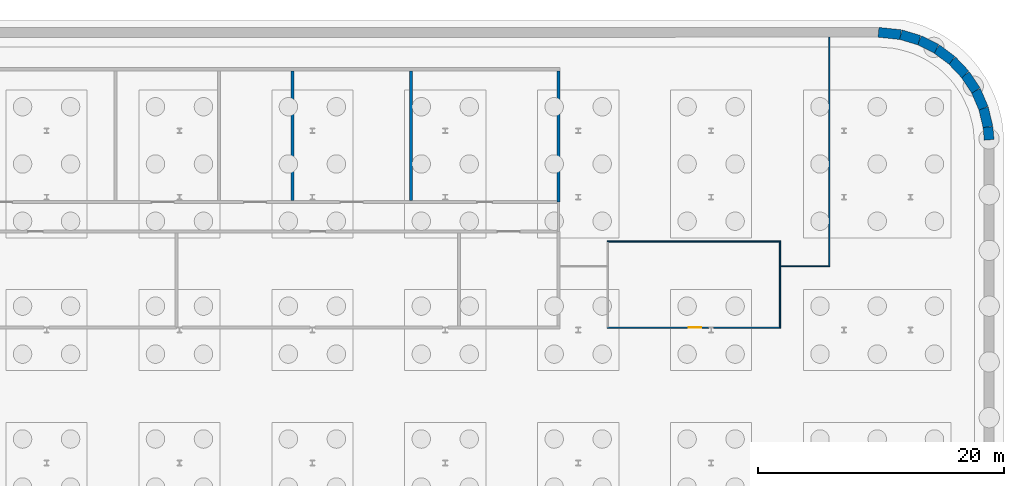
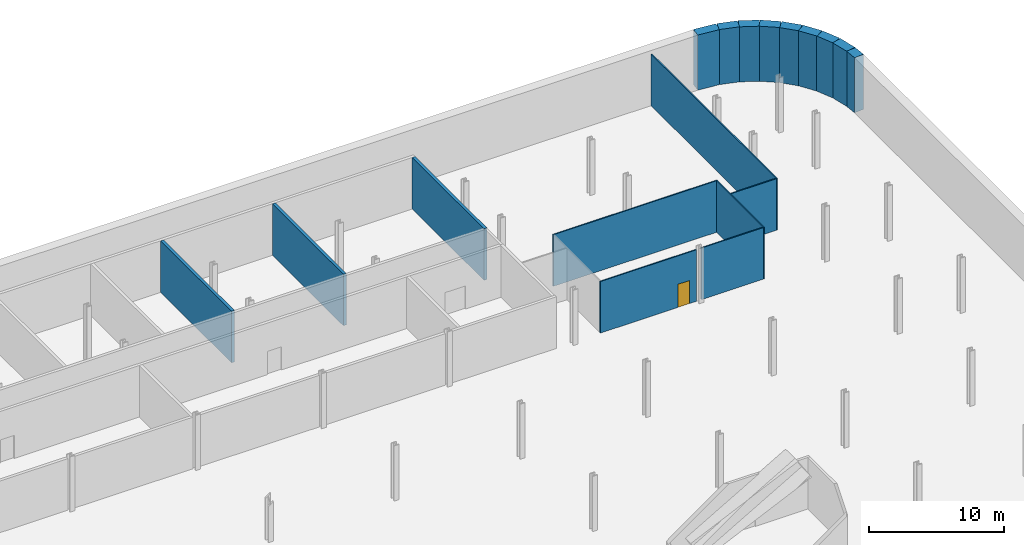
# One storey, part 18 of 23: 18 walls, 1 door, 1 opening.
"""IFC4 building model written with IfcOpenShell, lengths in metres."""

from ifc_helpers import new_model, si_unit, direction, frame, frame_2d, origin, place, context, subcontext, project, spatial, rectangle, extrude, source, transform, mapped, material, layer, layer_set, type_object, element, fill, save


model = new_model("IFC4")

# Units and contexts
model_context = context("Model", 3, precision=1e-05, world=origin(), true_north=direction((0.0, 1.0)))
body_context = subcontext(model_context, "Body", "Model", "MODEL_VIEW")
ifc_project = project(units=[si_unit("LENGTHUNIT", "METRE"), si_unit("AREAUNIT", "SQUARE_METRE"), si_unit("VOLUMEUNIT", "CUBIC_METRE"), si_unit("PLANEANGLEUNIT", "RADIAN"), si_unit("MASSUNIT", "GRAM", prefix="KILO")], contexts=[model_context])

# Site, building, storey
site_placement = place(None, origin())
site = spatial("IfcSite", under=ifc_project, at=site_placement, CompositionType="ELEMENT")
building_placement = place(site_placement, origin())
building = spatial("IfcBuilding", under=site, at=building_placement, Name="Kheshtan School and Residences Tower", CompositionType="ELEMENT")
storey_placement = place(building_placement, frame((0.0, 0.0, -15.0)))
storey = spatial("IfcBuildingStorey", under=building, at=storey_placement, Name="B3", CompositionType="ELEMENT", Elevation=-15.0)

# Walls
ifc_material_1 = material(Name="Concrete C35/45", Category="concrete")
ifc_layer_1 = layer(ifc_material_1, 0.800048828125)
ifc_layer_set_1 = layer_set([ifc_layer_1], Name="Basement wall 800 Concrete C35/45")
wall_type_1 = type_object("IfcWallType", Name="Basement wall 800 Concrete C35/45", PredefinedType="SOLIDWALL", material=ifc_layer_set_1)
wall_1_placement = place(storey_placement, frame((126.0, 113.0, 0.0), z_axis=(0.0, 0.0, 1.0), x_axis=(0.994412187849, -0.105567043429, 0.0)))
element("IfcWall", 1, at=wall_1_placement, inside=storey, type_object=wall_type_1, Name="Secant pile wall 11", PredefinedType="SOLIDWALL", context=body_context, shape_type="SweptSolid", body=[
    extrude(rectangle(XDim=1.829345703125, YDim=0.800048828125, at=frame_2d((0.91455078125, 0.0))), origin(), (0.0, 0.0, 1.0), 5.0),
])
wall_2_placement = place(storey_placement, frame((127.819091796875, 112.806884765625, 0.0), z_axis=(0.0, 0.0, 1.0), x_axis=(0.957886299092, -0.287147763375, 0.0)))
element("IfcWall", 2, at=wall_2_placement, inside=storey, type_object=wall_type_1, Name="Secant pile wall 12", PredefinedType="SOLIDWALL", context=body_context, shape_type="SweptSolid", body=[
    extrude(rectangle(XDim=1.56689453125, YDim=0.800048828125, at=frame_2d((0.783447265625, 0.0))), origin(), (0.0, 0.0, 1.0), 5.0),
])
wall_3_placement = place(storey_placement, frame((129.320068359375, 112.35693359375, 0.0), z_axis=(0.0, 0.0, 1.0), x_axis=(0.893803246399, -0.448459314462, 0.0)))
element("IfcWall", 3, at=wall_3_placement, inside=storey, type_object=wall_type_1, Name="Secant pile wall 13", PredefinedType="SOLIDWALL", context=body_context, shape_type="SweptSolid", body=[
    extrude(rectangle(XDim=1.5673828125, YDim=0.800048828125, at=frame_2d((0.78369140625, 0.0))), origin(), (0.0, 0.0, 1.0), 5.0),
])
wall_4_placement = place(storey_placement, frame((130.720947265625, 111.654052734375, 0.0), z_axis=(0.0, 0.0, 1.0), x_axis=(0.801771638905, -0.597630520512, 0.0)))
element("IfcWall", 4, at=wall_4_placement, inside=storey, type_object=wall_type_1, Name="Secant pile wall 14", PredefinedType="SOLIDWALL", context=body_context, shape_type="SweptSolid", body=[
    extrude(rectangle(XDim=1.56787109375, YDim=0.800048828125, at=frame_2d((0.783935546875, 0.0))), origin(), (0.0, 0.0, 1.0), 5.0),
])
wall_5_placement = place(storey_placement, frame((131.97802734375, 110.717041015625, 0.0), z_axis=(0.0, 0.0, 1.0), x_axis=(0.686641833089, -0.726995868662, 0.0)))
element("IfcWall", 5, at=wall_5_placement, inside=storey, type_object=wall_type_1, Name="Secant pile wall 15", PredefinedType="SOLIDWALL", context=body_context, shape_type="SweptSolid", body=[
    extrude(rectangle(XDim=1.56689453125, YDim=0.800048828125, at=frame_2d((0.783447265625, 0.0))), origin(), (0.0, 0.0, 1.0), 5.0),
])
wall_6_placement = place(storey_placement, frame((133.053955078125, 109.577880859375, 0.0), z_axis=(0.0, 0.0, 1.0), x_axis=(0.549333272834, -0.835603348101, 0.0)))
element("IfcWall", 6, at=wall_6_placement, inside=storey, type_object=wall_type_1, Name="Secant pile wall 16", PredefinedType="SOLIDWALL", context=body_context, shape_type="SweptSolid", body=[
    extrude(rectangle(XDim=1.567626953125, YDim=0.800048828125, at=frame_2d((0.78369140625, 0.0))), origin(), (0.0, 0.0, 1.0), 5.0),
])
wall_7_placement = place(storey_placement, frame((133.9150390625, 108.26806640625, 0.0), z_axis=(0.0, 0.0, 1.0), x_axis=(0.396155493925, -0.918183437355, 0.0)))
element("IfcWall", 7, at=wall_7_placement, inside=storey, type_object=wall_type_1, Name="Secant pile wall 17", PredefinedType="SOLIDWALL", context=body_context, shape_type="SweptSolid", body=[
    extrude(rectangle(XDim=1.567138671875, YDim=0.800048828125, at=frame_2d((0.78369140625, 0.0))), origin(), (0.0, 0.0, 1.0), 5.0),
])
wall_8_placement = place(storey_placement, frame((134.535888671875, 106.8291015625, 0.0), z_axis=(0.0, 0.0, 1.0), x_axis=(0.230834833469, -0.972992949439, 0.0)))
element("IfcWall", 8, at=wall_8_placement, inside=storey, type_object=wall_type_1, Name="Secant pile wall 18", PredefinedType="SOLIDWALL", context=body_context, shape_type="SweptSolid", body=[
    extrude(rectangle(XDim=1.568603515625, YDim=0.800048828125, at=frame_2d((0.7841796875, 0.0))), origin(), (0.0, 0.0, 1.0), 5.0),
])
wall_9_placement = place(storey_placement, frame((134.89794921875, 105.302978515625, 0.0), z_axis=(0.0, 0.0, 1.0), x_axis=(0.087062712427, -0.996202832813, 0.0)))
element("IfcWall", 9, at=wall_9_placement, inside=storey, type_object=wall_type_1, Name="Secant pile wall 19", PredefinedType="SOLIDWALL", context=body_context, shape_type="SweptSolid", body=[
    extrude(rectangle(XDim=1.0458984375, YDim=0.800048828125, at=frame_2d((0.52294921875, 0.0))), origin(), (0.0, 0.0, 1.0), 5.0),
])

# Wall, opening, door
ifc_material_2 = material(Name="Gypsum board on steel studs", Category="steel")
ifc_layer_2 = layer(ifc_material_2, 0.10009765625)
ifc_layer_set_2 = layer_set([ifc_layer_2], Name="Gypsum partition 100")
wall_type_2 = type_object("IfcWallType", Name="Gypsum partition 100", PredefinedType="PARTITIONING", material=ifc_layer_set_2)
wall_10_placement = place(storey_placement, frame((103.949951171875, 89.0, 0.0), z_axis=(0.0, 0.0, 1.0), x_axis=(1.0, 0.0, 0.0)))
wall_10 = element("IfcWall", 10, at=wall_10_placement, inside=storey, type_object=wall_type_2, Name="Partition B3-044", PredefinedType="PARTITIONING", context=body_context, shape_type="SweptSolid", body=[
    extrude(rectangle(XDim=8.239013671875, YDim=0.10009765625, at=frame_2d((4.11962890625, 0.0))), origin(), (0.0, 0.0, 1.0), 4.679931640625),
])
opening_placement = place(wall_10_placement, frame((6.64990234375, 0.0, 0.0)))
opening = element("IfcOpeningElement", 11, at=opening_placement, cuts=wall_10, Name="Opening D3-013", PredefinedType="OPENING", context=body_context, shape_type="SweptSolid", body=[
    extrude(rectangle(XDim=1.0, YDim=2.10009765625, at=frame_2d((0.5, 1.050048828125))), frame((0.0, 0.06005859375, 0.0), z_axis=(0.0, -1.0, 0.0), x_axis=(1.0, 0.0, 0.0)), (0.0, 0.0, 1.0), 0.1201171875),
])
ifc_material_3 = material(Name="Veneered timber door leaf", Category="wood")
door_type = type_object("IfcDoorType", Name="Door 1000 x 2100", OperationType="SINGLE_SWING_LEFT", PredefinedType="DOOR", material=ifc_material_3)
shared_shape = source(origin(), body_context, "Body", "SweptSolid", [
    extrude(rectangle(XDim=1.0, YDim=2.10009765625, at=frame_2d((0.5, 1.050048828125))), frame((0.0, 0.02490234375, 0.0), z_axis=(0.0, -1.0, 0.0), x_axis=(1.0, 0.0, 0.0)), (0.0, 0.0, 1.0), 0.050048828125),
])
door_placement = place(opening_placement, origin())
door = element("IfcDoor", 12, at=door_placement, inside=storey, type_object=door_type, Name="Door D3-013", OperationType="SINGLE_SWING_LEFT", OverallHeight=2.10009765625, OverallWidth=1.0, PredefinedType="DOOR", context=body_context, shape_type="MappedRepresentation", body=[
    mapped(shared_shape, transform((0.0, 0.0, 0.0), x_axis=(1.0, 0.0, 0.0), y_axis=(0.0, 1.0, 0.0), z_axis=(0.0, 0.0, 1.0), scale=1.0)),
])
fill(opening, door)

# Walls
wall_11_placement = place(storey_placement, frame((103.949951171875, 96.0, 0.0), z_axis=(0.0, 0.0, 1.0), x_axis=(1.0, 0.0, 0.0)))
element("IfcWall", 13, at=wall_11_placement, inside=storey, type_object=wall_type_2, Name="Partition B3-045", PredefinedType="PARTITIONING", context=body_context, shape_type="SweptSolid", body=[
    extrude(rectangle(XDim=14.10009765625, YDim=0.10009765625, at=frame_2d((7.050048828125, 0.0))), origin(), (0.0, 0.0, 1.0), 4.679931640625),
])
wall_12_placement = place(storey_placement, frame((112.611083984375, 89.0, 0.0), z_axis=(0.0, 0.0, 1.0), x_axis=(1.0, 0.0, 0.0)))
element("IfcWall", 14, at=wall_12_placement, inside=storey, type_object=wall_type_2, Name="Partition B3-051", PredefinedType="PARTITIONING", context=body_context, shape_type="SweptSolid", body=[
    extrude(rectangle(XDim=5.3388671875, YDim=0.10009765625, at=frame_2d((2.66943359375, 0.0))), origin(), (0.0, 0.0, 1.0), 4.679931640625),
])
wall_13_placement = place(storey_placement, frame((118.0, 88.949951171875, 0.0), z_axis=(0.0, 0.0, 1.0), x_axis=(0.0, 1.0, 0.0)))
element("IfcWall", 15, at=wall_13_placement, inside=storey, type_object=wall_type_2, Name="Partition B3-052", PredefinedType="PARTITIONING", context=body_context, shape_type="SweptSolid", body=[
    extrude(rectangle(XDim=7.0, YDim=0.10009765625, at=frame_2d((3.5, 0.0))), origin(), (0.0, 0.0, 1.0), 4.679931640625),
])
wall_14_placement = place(storey_placement, frame((118.050048828125, 94.0, 0.0), z_axis=(0.0, 0.0, 1.0), x_axis=(1.0, 0.0, 0.0)))
element("IfcWall", 16, at=wall_14_placement, inside=storey, type_object=wall_type_2, Name="Partition B3-053", PredefinedType="PARTITIONING", context=body_context, shape_type="SweptSolid", body=[
    extrude(rectangle(XDim=3.89990234375, YDim=0.10009765625, at=frame_2d((1.949951171875, 0.0))), origin(), (0.0, 0.0, 1.0), 4.679931640625),
])
wall_15_placement = place(storey_placement, frame((122.0, 93.949951171875, 0.0), z_axis=(0.0, 0.0, 1.0), x_axis=(0.0, 1.0, 0.0)))
element("IfcWall", 17, at=wall_15_placement, inside=storey, type_object=wall_type_2, Name="Partition B3-055", PredefinedType="PARTITIONING", context=body_context, shape_type="SweptSolid", body=[
    extrude(rectangle(XDim=18.651123046875, YDim=0.10009765625, at=frame_2d((9.32568359375, 0.0))), origin(), (0.0, 0.0, 1.0), 4.679931640625),
])
ifc_material_4 = material(Name="Fire-board and steel stud wall with mineral wool", Category="steel")
ifc_layer_3 = layer(ifc_material_4, 0.25)
ifc_layer_set_3 = layer_set([ifc_layer_3], Name="Plant room wall 250")
wall_type_3 = type_object("IfcWallType", Name="Plant room wall 250", PredefinedType="PARTITIONING", material=ifc_layer_set_3)
for number, where, z_axis, x_axis, name in (
    (18, (78.39990234375, 99.324951171875, 0.0), (0.0, 0.0, 1.0), (0.0, 1.0, 0.0), "Partition B3-028"),
    (19, (88.0, 99.324951171875, 0.0), (0.0, 0.0, 1.0), (0.0, 1.0, 0.0), "Partition B3-031"),
):
    element("IfcWall", number, at=place(storey_placement, frame(where, z_axis=z_axis, x_axis=x_axis)), inside=storey, type_object=wall_type_3, Name=name, PredefinedType="PARTITIONING", context=body_context, shape_type="SweptSolid", body=[
        extrude(rectangle(XDim=10.550048828125, YDim=0.25, at=frame_2d((5.27490234375, 0.0))), origin(), (0.0, 0.0, 1.0), 4.679931640625),
    ])
wall_16_placement = place(storey_placement, frame((100.0, 99.199951171875, 0.0), z_axis=(0.0, 0.0, 1.0), x_axis=(0.0, 1.0, 0.0)))
element("IfcWall", 20, at=wall_16_placement, inside=storey, type_object=wall_type_3, Name="Partition B3-040", PredefinedType="PARTITIONING", context=body_context, shape_type="SweptSolid", body=[
    extrude(rectangle(XDim=10.675048828125, YDim=0.25, at=frame_2d((5.33740234375, 0.0))), origin(), (0.0, 0.0, 1.0), 4.679931640625),
])

save(model, "model.ifc")
